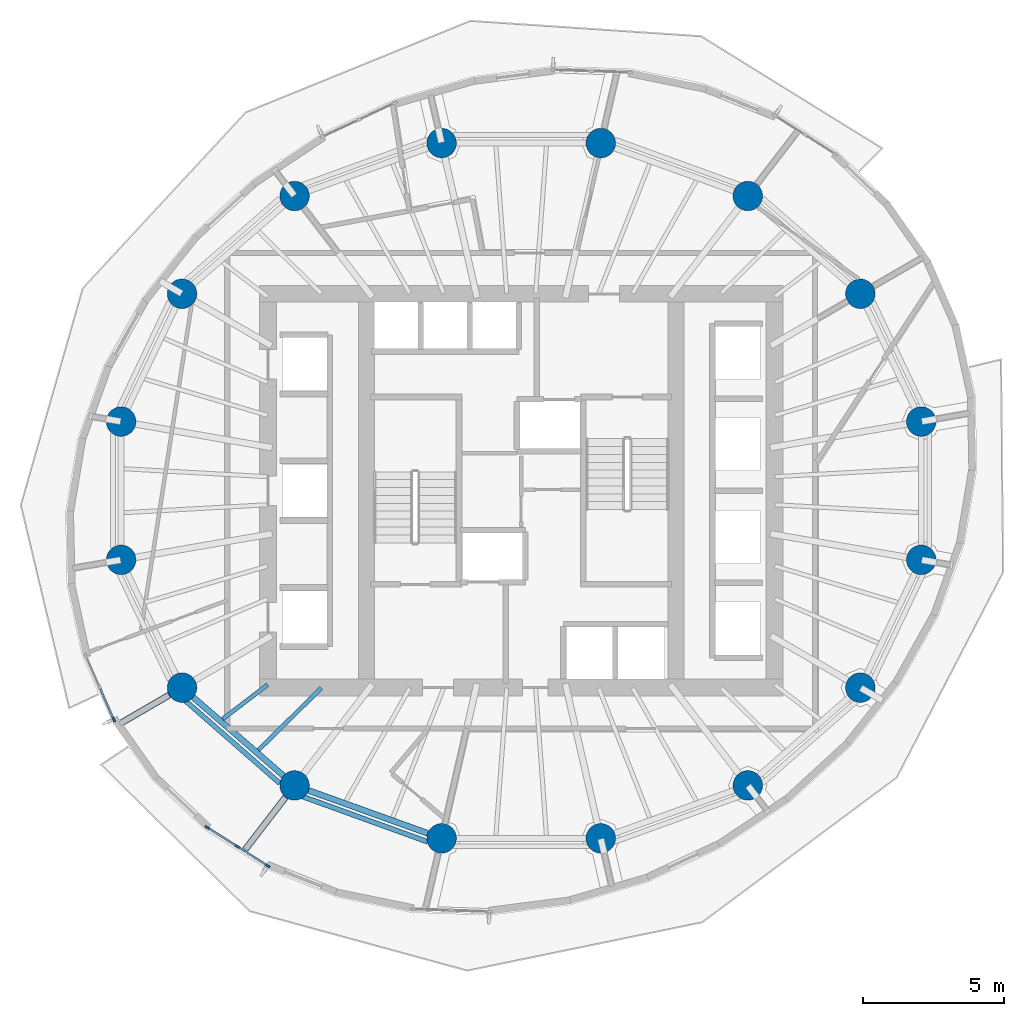
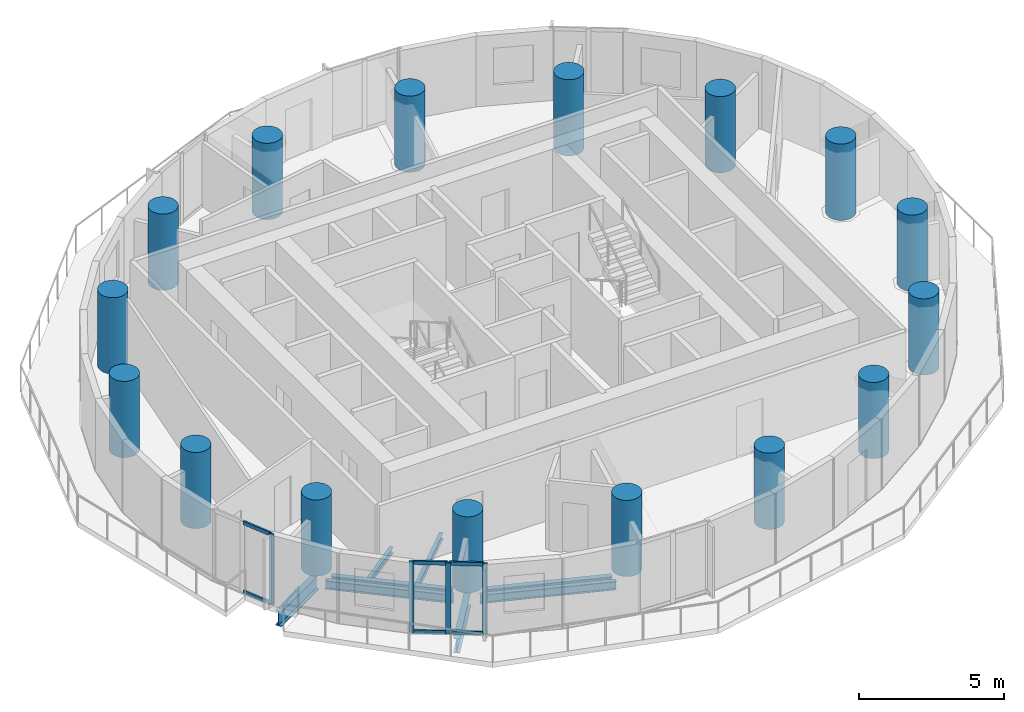
# One storey, part 1 of 13: 16 columns, 10 members, 8 beams, 2 elements without a shape of their own.
"""IFC4 building model written with IfcOpenShell, lengths in metres."""

from ifc_helpers import new_model, si_unit, direction, frame, origin, origin_2d, place, context, subcontext, project, spatial, rectangle, circle, i_section, extrude, material, material_profile, profile_set, type_object, element, aggregate, save


model = new_model("IFC4")

# Units and contexts
model_context = context("Model", 3, precision=1e-05, world=origin(), true_north=direction((0.0, 1.0)))
body_context = subcontext(model_context, "Body", "Model", "MODEL_VIEW")
ifc_project = project(units=[si_unit("LENGTHUNIT", "METRE"), si_unit("AREAUNIT", "SQUARE_METRE"), si_unit("VOLUMEUNIT", "CUBIC_METRE"), si_unit("PLANEANGLEUNIT", "RADIAN"), si_unit("MASSUNIT", "GRAM", prefix="KILO")], contexts=[model_context])

# Site, building, storey
site_placement = place(None, origin())
site = spatial("IfcSite", under=ifc_project, at=site_placement, CompositionType="ELEMENT")
building_placement = place(site_placement, origin())
building = spatial("IfcBuilding", under=site, at=building_placement, Name="Veldorim Arch Residences", CompositionType="ELEMENT")
storey_placement = place(building_placement, frame((0.0, 0.0, 120.159912109375)))
storey = spatial("IfcBuildingStorey", under=building, at=storey_placement, Name="L35", CompositionType="ELEMENT", Elevation=120.159912109375)

# Columns
ifc_material_1 = material(Name="Concrete C50/60", Category="concrete")
ifc_material_profile_1 = material_profile(ifc_material_1, circle(Radius=0.52490234375, at=origin_2d()), Name="RC_CIRC_1050")
ifc_profile_set_1 = profile_set([ifc_material_profile_1], Name="Concrete C50/60")
column_type = type_object("IfcColumnType", Name="Structural Column RC_CIRC_1050", PredefinedType="COLUMN", material=ifc_profile_set_1)
for number, where, z_axis, x_axis, name in (
    (1, (46.221435546875, 26.4580078125, 0.0), (0.0, 0.0, 1.0), (1.0, 0.0, 0.0), "L35 TC-Z3-01 perimeter column"),
    (2, (44.056396484375, 31.000244140625, 0.0), (0.0, 0.0, 1.0), (1.0, 0.0, 0.0), "L35 TC-Z3-02 perimeter column"),
    (3, (40.055908203125, 34.4765625, 0.0), (0.0, 0.0, 1.0), (1.0, 0.0, 0.0), "L35 TC-Z3-03 perimeter column"),
    (4, (34.828857421875, 36.35791015625, 0.0), (0.0, 0.0, 1.0), (1.0, 0.0, 0.0), "L35 TC-Z3-04 perimeter column"),
    (5, (29.171142578125, 36.35791015625, 0.0), (0.0, 0.0, 1.0), (1.0, 0.0, 0.0), "L35 TC-Z3-05 perimeter column"),
    (6, (23.944091796875, 34.4765625, 0.0), (0.0, 0.0, 1.0), (1.0, 0.0, 0.0), "L35 TC-Z3-06 perimeter column"),
    (7, (19.943603515625, 31.000244140625, 0.0), (0.0, 0.0, 1.0), (1.0, 0.0, 0.0), "L35 TC-Z3-07 perimeter column"),
    (8, (17.778564453125, 26.4580078125, 0.0), (0.0, 0.0, 1.0), (1.0, 0.0, 0.0), "L35 TC-Z3-08 perimeter column"),
    (9, (17.778564453125, 21.5419921875, 0.0), (0.0, 0.0, 1.0), (1.0, 0.0, 0.0), "L35 TC-Z3-09 perimeter column"),
    (10, (19.943603515625, 16.999755859375, 0.0), (0.0, 0.0, 1.0), (1.0, 0.0, 0.0), "L35 TC-Z3-10 perimeter column"),
    (11, (23.944091796875, 13.5234375, 0.0), (0.0, 0.0, 1.0), (1.0, 0.0, 0.0), "L35 TC-Z3-11 perimeter column"),
    (12, (29.171142578125, 11.64208984375, 0.0), (0.0, 0.0, 1.0), (1.0, 0.0, 0.0), "L35 TC-Z3-12 perimeter column"),
    (13, (34.828857421875, 11.64208984375, 0.0), (0.0, 0.0, 1.0), (1.0, 0.0, 0.0), "L35 TC-Z3-13 perimeter column"),
    (14, (40.055908203125, 13.5234375, 0.0), (0.0, 0.0, 1.0), (1.0, 0.0, 0.0), "L35 TC-Z3-14 perimeter column"),
    (15, (44.056396484375, 16.999755859375, 0.0), (0.0, 0.0, 1.0), (1.0, 0.0, 0.0), "L35 TC-Z3-15 perimeter column"),
    (16, (46.221435546875, 21.5419921875, 0.0), (0.0, 0.0, 1.0), (1.0, 0.0, 0.0), "L35 TC-Z3-16 perimeter column"),
):
    element("IfcColumn", number, at=place(storey_placement, frame(where, z_axis=z_axis, x_axis=x_axis)), inside=storey, type_object=column_type, Name=name, PredefinedType="COLUMN", context=body_context, shape_type="SweptSolid", body=[
        extrude(circle(Radius=0.52490234375, at=origin_2d()), origin(), (0.0, 0.0, 1.0), 3.2001953125),
    ])

# Beams
ifc_material_2 = material(Name="Steel S355", Category="steel")
ifc_material_profile_2 = material_profile(ifc_material_2, i_section(OverallWidth=0.2099609375, OverallDepth=0.53662109375, WebThickness=0.0107421875, FlangeThickness=0.017333984375, at=origin_2d()), Name="UB533x210x101")
ifc_profile_set_2 = profile_set([ifc_material_profile_2], Name="Steel S355")
beam_type_1 = type_object("IfcBeamType", Name="Structural Steel Beam UB533x210x101", PredefinedType="BEAM", material=ifc_profile_set_2)
beam_1_placement = place(storey_placement, frame((20.340087890625, 16.655517578125, -0.50830078125), z_axis=(0.754810789581, -0.655942582802, 0.0), x_axis=(0.655942582802, 0.754810789581, 0.0)))
element("IfcBeam", 17, at=beam_1_placement, inside=storey, type_object=beam_type_1, Name="L35 perimeter ring tie beam 10", PredefinedType="BEAM", context=body_context, shape_type="SweptSolid", body=[
    extrude(i_section(OverallWidth=0.2099609375, OverallDepth=0.53662109375, WebThickness=0.0107421875, FlangeThickness=0.017333984375, at=origin_2d()), origin(), (0.0, 0.0, 1.0), 4.249755859375),
])
beam_2_placement = place(storey_placement, frame((24.438232421875, 13.345703125, -0.50830078125), z_axis=(0.940899155006, -0.338686846673, 0.0), x_axis=(0.338686846673, 0.940899155006, 0.0)))
element("IfcBeam", 18, at=beam_2_placement, inside=storey, type_object=beam_type_1, Name="L35 perimeter ring tie beam 11", PredefinedType="BEAM", context=body_context, shape_type="SweptSolid", body=[
    extrude(i_section(OverallWidth=0.2099609375, OverallDepth=0.53662109375, WebThickness=0.0107421875, FlangeThickness=0.017333984375, at=origin_2d()), origin(), (0.0, 0.0, 1.0), 4.50537109375),
])
ifc_material_3 = material(Name="Steel S355", Category="steel")
ifc_material_profile_3 = material_profile(ifc_material_3, i_section(OverallWidth=0.22900390625, OverallDepth=0.6123046875, WebThickness=0.011962890625, FlangeThickness=0.01953125, at=origin_2d()), Name="UB610x229x125")
ifc_profile_set_3 = profile_set([ifc_material_profile_3], Name="Steel S355")
beam_type_2 = type_object("IfcBeamType", Name="Structural Steel Beam UB610x229x125", PredefinedType="BEAM", material=ifc_profile_set_3)
beam_3_placement = place(storey_placement, frame((19.926513671875, 16.98974609375, -0.5458984375), z_axis=(-0.864791558459, -0.502131019175, 0.0), x_axis=(0.502131019175, -0.864791558459, 0.0)))
element("IfcBeam", 19, at=beam_3_placement, inside=storey, type_object=beam_type_2, Name="L35 radial edge cantilever girder 10", PredefinedType="BEAM", context=body_context, shape_type="SweptSolid", body=[
    extrude(i_section(OverallWidth=0.22900390625, OverallDepth=0.6123046875, WebThickness=0.011962890625, FlangeThickness=0.01953125, at=origin_2d()), origin(), (0.0, 0.0, 1.0), 2.61865234375),
])
beam_4_placement = place(storey_placement, frame((23.931884765625, 13.507568359375, -0.5458984375), z_axis=(-0.609564634962, -0.792736372197, 0.0), x_axis=(0.792736372197, -0.609564634962, 0.0)))
element("IfcBeam", 20, at=beam_4_placement, inside=storey, type_object=beam_type_2, Name="L35 radial edge cantilever girder 11", PredefinedType="BEAM", context=body_context, shape_type="SweptSolid", body=[
    extrude(i_section(OverallWidth=0.22900390625, OverallDepth=0.6123046875, WebThickness=0.011962890625, FlangeThickness=0.01953125, at=origin_2d()), origin(), (0.0, 0.0, 1.0), 2.906982421875),
])
ifc_material_4 = material(Name="Steel S355", Category="steel")
ifc_material_profile_4 = material_profile(ifc_material_4, i_section(OverallWidth=0.146484375, OverallDepth=0.256103515625, WebThickness=0.00634765625, FlangeThickness=0.010986328125, at=origin_2d()), Name="UB254x146x37")
ifc_profile_set_4 = profile_set([ifc_material_profile_4], Name="Steel S355")
beam_type_3 = type_object("IfcBeamType", Name="Structural Steel Joist UB254x146x37", PredefinedType="JOIST", material=ifc_profile_set_4)
beam_5_placement = place(storey_placement, frame((22.984130859375, 17.10302734375, -0.367919921875), z_axis=(-0.794312925337, -0.607508828448, 0.0), x_axis=(0.607508828448, -0.794312925337, 0.0)))
element("IfcBeam", 21, at=beam_5_placement, inside=storey, type_object=beam_type_3, Name="L35 secondary radial floor joist 10-1", PredefinedType="JOIST", context=body_context, shape_type="SweptSolid", body=[
    extrude(i_section(OverallWidth=0.146484375, OverallDepth=0.256103515625, WebThickness=0.00634765625, FlangeThickness=0.010986328125, at=origin_2d()), origin(), (0.0, 0.0, 1.0), 2.006103515625),
])
beam_6_placement = place(storey_placement, frame((24.894287109375, 16.986083984375, -0.367919921875), z_axis=(-0.711683379532, -0.702500368183, 0.0), x_axis=(0.702500368183, -0.711683379532, 0.0)))
element("IfcBeam", 22, at=beam_6_placement, inside=storey, type_object=beam_type_3, Name="L35 secondary radial floor joist 10-2", PredefinedType="JOIST", context=body_context, shape_type="SweptSolid", body=[
    extrude(i_section(OverallWidth=0.146484375, OverallDepth=0.256103515625, WebThickness=0.00634765625, FlangeThickness=0.010986328125, at=origin_2d()), origin(), (0.0, 0.0, 1.0), 3.13720703125),
])
ifc_material_5 = material(Name="Steel S355", Category="steel")
ifc_material_profile_5 = material_profile(ifc_material_5, i_section(OverallWidth=0.172119140625, OverallDepth=0.35791015625, WebThickness=0.008056640625, FlangeThickness=0.012939453125, at=origin_2d()), Name="UB356x171x57")
ifc_profile_set_5 = profile_set([ifc_material_profile_5], Name="Steel S355")
beam_type_4 = type_object("IfcBeamType", Name="Structural Steel Spandrel UB356x171x57", PredefinedType="SPANDREL", material=ifc_profile_set_5)
beam_7_placement = place(storey_placement, frame((20.0419921875, 16.55078125, -0.43896484375), z_axis=(0.753014748982, -0.658003638148, 0.0), x_axis=(0.658003638148, 0.753014748982, 0.0)))
element("IfcBeam", 23, at=beam_7_placement, inside=storey, type_object=beam_type_4, Name="L35 perimeter chord spandrel beam 10", PredefinedType="SPANDREL", context=body_context, shape_type="SweptSolid", body=[
    extrude(i_section(OverallWidth=0.172119140625, OverallDepth=0.35791015625, WebThickness=0.008056640625, FlangeThickness=0.012939453125, at=origin_2d()), origin(), (0.0, 0.0, 1.0), 4.486572265625),
])
beam_8_placement = place(storey_placement, frame((24.20263671875, 13.13720703125, -0.43896484375), z_axis=(0.940212553113, -0.340588248429, 0.0), x_axis=(0.340588248429, 0.940212553113, 0.0)))
element("IfcBeam", 24, at=beam_8_placement, inside=storey, type_object=beam_type_4, Name="L35 perimeter chord spandrel beam 11", PredefinedType="SPANDREL", context=body_context, shape_type="SweptSolid", body=[
    extrude(i_section(OverallWidth=0.172119140625, OverallDepth=0.35791015625, WebThickness=0.008056640625, FlangeThickness=0.012939453125, at=origin_2d()), origin(), (0.0, 0.0, 1.0), 4.75390625),
])

# Curtain wall, member
ifc_material_6 = material(Name="Aluminium", Category="aluminium")
curtain_wall_type = type_object("IfcCurtainWallType", Name="Zone 3 High-Wind Unitised Curtain Wall", PredefinedType="NOTDEFINED", material=ifc_material_6)
curtain_wall_1_placement = place(storey_placement, origin())
curtain_wall_1 = element("IfcCurtainWall", 25, at=curtain_wall_1_placement, inside=storey, type_object=curtain_wall_type, Name="L35 unitised curtain wall bay 18", PredefinedType="NOTDEFINED")
ifc_material_7 = material(Name="Aluminium", Category="aluminium")
ifc_material_profile_6 = material_profile(ifc_material_7, rectangle(XDim=0.070068359375, YDim=0.179931640625, at=origin_2d()), Name="ALU_MUL_70x180")
ifc_profile_set_6 = profile_set([ifc_material_profile_6], Name="Aluminium")
member_type_1 = type_object("IfcMemberType", Name="Zone 3 High-Wind Unitised Curtain Wall Mullion 70x180", PredefinedType="MULLION", material=ifc_profile_set_6)
member_1_placement = place(storey_placement, frame((17.51904296875, 15.8701171875, 0.0), z_axis=(0.0, 0.0, 1.0), x_axis=(-0.915986984333, -0.401207981642, 0.0)))
member_1 = element("IfcMember", 26, at=member_1_placement, type_object=member_type_1, Name="CW-Z3 mullion 1", PredefinedType="MULLION", context=body_context, shape_type="SweptSolid", body=[
    extrude(rectangle(XDim=0.070068359375, YDim=0.179931640625, at=origin_2d()), origin(), (0.0, 0.0, 1.0), 2.960205078125),
])

# Curtain wall, members
curtain_wall_2_placement = place(storey_placement, origin())
curtain_wall_2 = element("IfcCurtainWall", 27, at=curtain_wall_2_placement, inside=storey, type_object=curtain_wall_type, Name="L35 unitised curtain wall bay 21", PredefinedType="NOTDEFINED")
member_2_placement = place(storey_placement, frame((22.982666015625, 10.669921875, 0.0), z_axis=(0.0, 0.0, 1.0), x_axis=(-0.53575385941, -0.844374207403, 0.0)))
member_2 = element("IfcMember", 28, at=member_2_placement, type_object=member_type_1, Name="CW-Z3 mullion 1", PredefinedType="MULLION", context=body_context, shape_type="SweptSolid", body=[
    extrude(rectangle(XDim=0.070068359375, YDim=0.179931640625, at=origin_2d()), origin(), (0.0, 0.0, 1.0), 2.960205078125),
])
member_3_placement = place(storey_placement, frame((21.9130859375, 11.348388671875, 0.0), z_axis=(0.0, 0.0, 1.0), x_axis=(-0.53575385941, -0.844374207403, 0.0)))
member_3 = element("IfcMember", 29, at=member_3_placement, type_object=member_type_1, Name="CW-Z3 mullion 2", PredefinedType="MULLION", context=body_context, shape_type="SweptSolid", body=[
    extrude(rectangle(XDim=0.070068359375, YDim=0.179931640625, at=origin_2d()), origin(), (0.0, 0.0, 1.0), 2.960205078125),
])
member_4_placement = place(storey_placement, frame((20.84375, 12.02685546875, 0.0), z_axis=(0.0, 0.0, 1.0), x_axis=(-0.53575385941, -0.844374207403, 0.0)))
member_4 = element("IfcMember", 30, at=member_4_placement, type_object=member_type_1, Name="CW-Z3 mullion 3", PredefinedType="MULLION", context=body_context, shape_type="SweptSolid", body=[
    extrude(rectangle(XDim=0.070068359375, YDim=0.179931640625, at=origin_2d()), origin(), (0.0, 0.0, 1.0), 2.960205078125),
])

# Member
ifc_material_8 = material(Name="Aluminium", Category="aluminium")
ifc_material_profile_7 = material_profile(ifc_material_8, rectangle(XDim=0.070068359375, YDim=0.155029296875, at=origin_2d()), Name="ALU_TRN_70x155")
ifc_profile_set_7 = profile_set([ifc_material_profile_7], Name="Aluminium")
member_type_2 = type_object("IfcMemberType", Name="Zone 3 High-Wind Unitised Curtain Wall Transom 70x155", PredefinedType="USERDEFINED", material=ifc_profile_set_7)
member_5_placement = place(storey_placement, frame((17.505126953125, 15.902099609375, 0.03515625), z_axis=(-0.401259618717, 0.915964365239, 0.0), x_axis=(-0.915964365239, -0.401259618717, 0.0)))
member_5 = element("IfcMember", 31, at=member_5_placement, type_object=member_type_2, Name="CW-Z3 transom 1.1", ObjectType="TRANSOM", PredefinedType="USERDEFINED", context=body_context, shape_type="SweptSolid", body=[
    extrude(rectangle(XDim=0.070068359375, YDim=0.155029296875, at=origin_2d()), origin(), (0.0, 0.0, 1.0), 1.162109375),
])

member_6_placement = place(storey_placement, frame((17.505126953125, 15.902099609375, 2.925048828125), z_axis=(-0.401259618717, 0.915964365239, 0.0), x_axis=(-0.915964365239, -0.401259618717, 0.0)))
member_6 = element("IfcMember", 32, at=member_6_placement, type_object=member_type_2, Name="CW-Z3 transom 1.2", ObjectType="TRANSOM", PredefinedType="USERDEFINED", context=body_context, shape_type="SweptSolid", body=[
    extrude(rectangle(XDim=0.070068359375, YDim=0.155029296875, at=origin_2d()), origin(), (0.0, 0.0, 1.0), 1.162109375),
])

aggregate(curtain_wall_1, [member_1, member_5, member_6])

member_7_placement = place(storey_placement, frame((22.952880859375, 10.688720703125, 0.03515625), z_axis=(-0.844366708446, 0.535765677948, 0.0), x_axis=(-0.535765677948, -0.844366708446, 0.0)))
member_7 = element("IfcMember", 33, at=member_7_placement, type_object=member_type_2, Name="CW-Z3 transom 1.1", ObjectType="TRANSOM", PredefinedType="USERDEFINED", context=body_context, shape_type="SweptSolid", body=[
    extrude(rectangle(XDim=0.070068359375, YDim=0.155029296875, at=origin_2d()), origin(), (0.0, 0.0, 1.0), 1.1962890625),
])

member_8_placement = place(storey_placement, frame((22.952880859375, 10.688720703125, 2.925048828125), z_axis=(-0.844366708446, 0.535765677948, 0.0), x_axis=(-0.535765677948, -0.844366708446, 0.0)))
member_8 = element("IfcMember", 34, at=member_8_placement, type_object=member_type_2, Name="CW-Z3 transom 1.2", ObjectType="TRANSOM", PredefinedType="USERDEFINED", context=body_context, shape_type="SweptSolid", body=[
    extrude(rectangle(XDim=0.070068359375, YDim=0.155029296875, at=origin_2d()), origin(), (0.0, 0.0, 1.0), 1.1962890625),
])

member_9_placement = place(storey_placement, frame((21.883544921875, 11.3671875, 0.03515625), z_axis=(-0.844332970622, 0.535818845059, 0.0), x_axis=(-0.535818845059, -0.844332970622, 0.0)))
member_9 = element("IfcMember", 35, at=member_9_placement, type_object=member_type_2, Name="CW-Z3 transom 2.1", ObjectType="TRANSOM", PredefinedType="USERDEFINED", context=body_context, shape_type="SweptSolid", body=[
    extrude(rectangle(XDim=0.070068359375, YDim=0.155029296875, at=origin_2d()), origin(), (0.0, 0.0, 1.0), 1.196533203125),
])

member_10_placement = place(storey_placement, frame((21.883544921875, 11.3671875, 2.925048828125), z_axis=(-0.844332970622, 0.535818845059, 0.0), x_axis=(-0.535818845059, -0.844332970622, 0.0)))
member_10 = element("IfcMember", 36, at=member_10_placement, type_object=member_type_2, Name="CW-Z3 transom 2.2", ObjectType="TRANSOM", PredefinedType="USERDEFINED", context=body_context, shape_type="SweptSolid", body=[
    extrude(rectangle(XDim=0.070068359375, YDim=0.155029296875, at=origin_2d()), origin(), (0.0, 0.0, 1.0), 1.196533203125),
])

aggregate(curtain_wall_2, [member_2, member_3, member_4, member_7, member_8, member_9, member_10])

save(model, "model.ifc")
